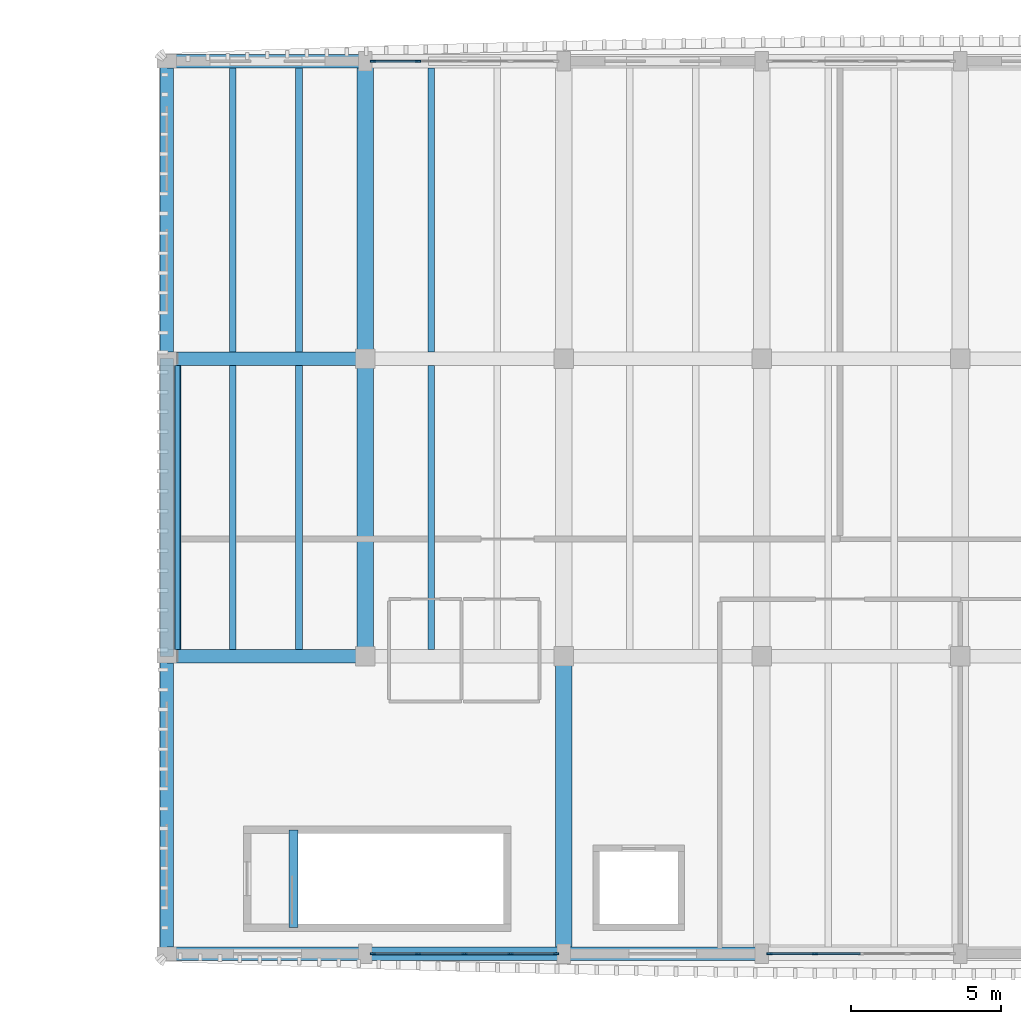
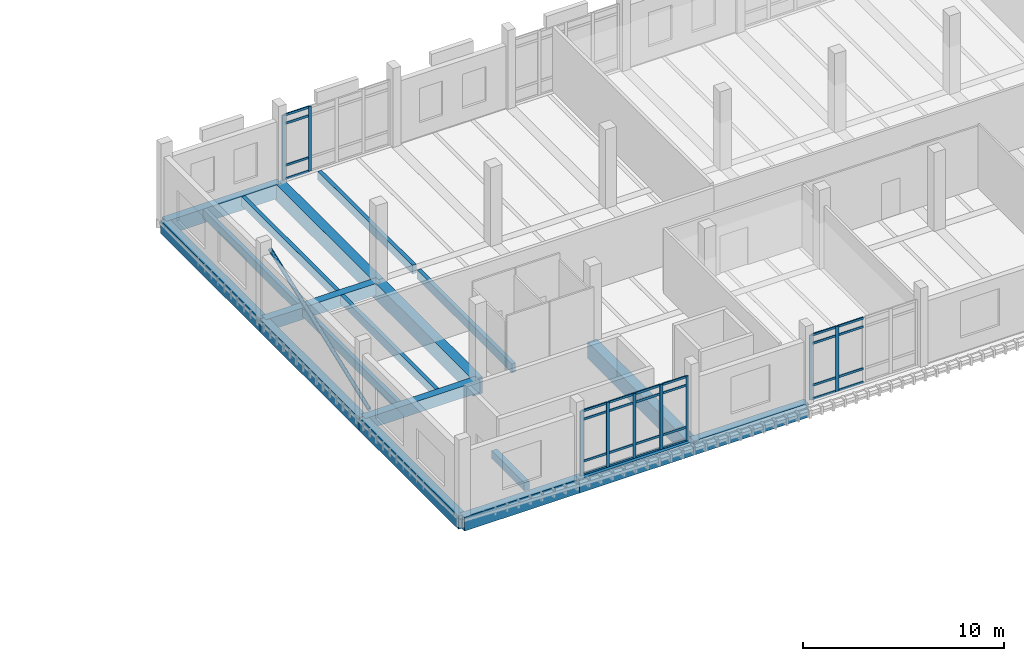
# One storey, part 8 of 37: 38 members, 19 beams, 3 elements without a shape of their own.
"""IFC4 building model written with IfcOpenShell, lengths in metres."""

from ifc_helpers import new_model, si_unit, direction, frame, origin, origin_2d, place, context, subcontext, project, spatial, rectangle, hollow_circle, extrude, material, material_profile, profile_set, type_object, element, aggregate, save


model = new_model("IFC4")

# Units and contexts
model_context = context("Model", 3, precision=1e-05, world=origin(), true_north=direction((0.0, 1.0)))
body_context = subcontext(model_context, "Body", "Model", "MODEL_VIEW")
ifc_project = project(units=[si_unit("LENGTHUNIT", "METRE"), si_unit("AREAUNIT", "SQUARE_METRE"), si_unit("VOLUMEUNIT", "CUBIC_METRE"), si_unit("PLANEANGLEUNIT", "RADIAN"), si_unit("MASSUNIT", "GRAM", prefix="KILO")], contexts=[model_context])

# Site, building, storey
site_placement = place(None, origin())
site = spatial("IfcSite", under=ifc_project, at=site_placement, CompositionType="ELEMENT")
building_placement = place(site_placement, origin())
building = spatial("IfcBuilding", under=site, at=building_placement, Name="Dornvale Research Institute", CompositionType="ELEMENT")
storey_placement = place(building_placement, frame((0.0, 0.0, 29.39990234375)))
storey = spatial("IfcBuildingStorey", under=building, at=storey_placement, Name="L06", CompositionType="ELEMENT", Elevation=29.39990234375)

# Beams
ifc_material_1 = material(Name="Concrete f'c 45 MPa (C35/45)", Category="concrete")
ifc_material_profile_1 = material_profile(ifc_material_1, rectangle(XDim=0.300048828125, YDim=0.5, at=origin_2d()), Name="RC 300x500")
ifc_profile_set_1 = profile_set([ifc_material_profile_1], Name="Concrete f'c 45 MPa (C35/45)")
beam_type_1 = type_object("IfcBeamType", Name="Beam_RC300x500_Trim", PredefinedType="BEAM", material=ifc_profile_set_1)
beam_1_placement = place(storey_placement, frame((123.02001953125, 93.280029296875, -0.25), z_axis=(0.0, 1.0, 0.0), x_axis=(-1.0, 0.0, 0.0)))
element("IfcBeam", 1, at=beam_1_placement, inside=storey, type_object=beam_type_1, Name="L06 ST-3 stair landing trimmer beam #53", PredefinedType="BEAM", context=body_context, shape_type="SweptSolid", body=[
    extrude(rectangle(XDim=0.300048828125, YDim=0.5, at=origin_2d()), origin(), (0.0, 0.0, 1.0), 3.239990234375),
])
ifc_material_2 = material(Name="Concrete f'c 45 MPa (C35/45)", Category="concrete")
ifc_material_profile_2 = material_profile(ifc_material_2, rectangle(XDim=0.449951171875, YDim=0.715087890625, at=origin_2d()), Name="RC 450x715")
ifc_profile_set_2 = profile_set([ifc_material_profile_2], Name="Concrete f'c 45 MPa (C35/45)")
beam_type_2 = type_object("IfcBeamType", Name="Beam_RC450x715_Lab", PredefinedType="BEAM", material=ifc_profile_set_2)
for number, where, z_axis, x_axis, name in (
    (2, (118.800048828125, 102.300048828125, -0.357421875), (1.0, 0.0, 0.0), (0.0, 1.0, 0.0), "L06 primary girder #1506"),
    (3, (118.800048828125, 112.199951171875, -0.357421875), (1.0, 0.0, 0.0), (0.0, 1.0, 0.0), "L06 primary girder #1514"),
):
    element("IfcBeam", number, at=place(storey_placement, frame(where, z_axis=z_axis, x_axis=x_axis)), inside=storey, type_object=beam_type_2, Name=name, PredefinedType="BEAM", context=body_context, shape_type="SweptSolid", body=[
        extrude(rectangle(XDim=0.449951171875, YDim=0.715087890625, at=origin_2d()), origin(), (0.0, 0.0, 1.0), 6.599853515625),
    ])
ifc_material_3 = material(Name="Concrete f'c 45 MPa (C35/45)", Category="concrete")
ifc_material_profile_3 = material_profile(ifc_material_3, rectangle(XDim=0.550048828125, YDim=1.0, at=origin_2d()), Name="RC 550x1000")
ifc_profile_set_3 = profile_set([ifc_material_profile_3], Name="Concrete f'c 45 MPa (C35/45)")
beam_type_3 = type_object("IfcBeamType", Name="Beam_RC550x1000_Girder", PredefinedType="BEAM", material=ifc_profile_set_3)
beam_2_placement = place(storey_placement, frame((125.39990234375, 102.300048828125, -0.5), z_axis=(0.0, 1.0, 0.0), x_axis=(-1.0, 0.0, 0.0)))
element("IfcBeam", 4, at=beam_2_placement, inside=storey, type_object=beam_type_3, Name="L06 transverse girder #1533", PredefinedType="BEAM", context=body_context, shape_type="SweptSolid", body=[
    extrude(rectangle(XDim=0.550048828125, YDim=1.0, at=origin_2d()), origin(), (0.0, 0.0, 1.0), 9.89990234375),
])
for number, where, z_axis, x_axis, name in (
    (5, (125.39990234375, 112.199951171875, -0.5), (0.0, 1.0, 0.0), (-1.0, 0.0, 0.0), "L06 transverse girder #1534"),
    (6, (132.0, 92.39990234375, -0.5), (0.0, 1.0, 0.0), (-1.0, 0.0, 0.0), "L06 transverse girder #1535"),
):
    element("IfcBeam", number, at=place(storey_placement, frame(where, z_axis=z_axis, x_axis=x_axis)), inside=storey, type_object=beam_type_3, Name=name, PredefinedType="BEAM", context=body_context, shape_type="SweptSolid", body=[
        extrude(rectangle(XDim=0.550048828125, YDim=1.0, at=origin_2d()), origin(), (0.0, 0.0, 1.0), 9.900146484375),
    ])

# Member
ifc_material_4 = material(Name="Steel ASTM A500 Grade C", Category="steel")
ifc_material_profile_4 = material_profile(ifc_material_4, hollow_circle(Radius=0.109619140625, WallThickness=0.0087890625, at=origin_2d()), Name="HSS219X9.5")
ifc_profile_set_4 = profile_set([ifc_material_profile_4], Name="Steel ASTM A500 Grade C")
member_type_1 = type_object("IfcMemberType", Name="Brace_HSS219_Round", PredefinedType="BRACE", material=ifc_profile_set_4)
member_1_placement = place(storey_placement, frame((119.159912109375, 102.300048828125, 0.300048828125), z_axis=(0.0, 0.935158287794, 0.354230118385), x_axis=(-1.0, 0.0, 0.0)))
element("IfcMember", 7, at=member_1_placement, inside=storey, type_object=member_type_1, Name="L06 seismic diagonal brace #54", PredefinedType="BRACE", context=body_context, shape_type="SweptSolid", body=[
    extrude(hollow_circle(Radius=0.109619140625, WallThickness=0.0087890625, at=origin_2d()), origin(), (0.0, 0.0, 1.0), 10.58642578125),
])

# Beams
ifc_material_5 = material(Name="Concrete f'c 45 MPa (C35/45)", Category="concrete")
ifc_material_profile_5 = material_profile(ifc_material_5, rectangle(XDim=0.219970703125, YDim=0.534912109375, at=origin_2d()), Name="RC 220x535")
ifc_profile_set_5 = profile_set([ifc_material_profile_5], Name="Concrete f'c 45 MPa (C35/45)")
beam_type_4 = type_object("IfcBeamType", Name="Joist_RC220x535_Waffle", PredefinedType="JOIST", material=ifc_profile_set_5)
for number, where, z_axis, x_axis, name in (
    (8, (121.0, 102.52490234375, -0.267333984375), (0.0, 1.0, 0.0), (-1.0, 0.0, 0.0), "L06 laboratory waffle joist #727"),
    (9, (123.199951171875, 102.52490234375, -0.267333984375), (0.0, 1.0, 0.0), (-1.0, 0.0, 0.0), "L06 laboratory waffle joist #728"),
):
    element("IfcBeam", number, at=place(storey_placement, frame(where, z_axis=z_axis, x_axis=x_axis)), inside=storey, type_object=beam_type_4, Name=name, PredefinedType="JOIST", context=body_context, shape_type="SweptSolid", body=[
        extrude(rectangle(XDim=0.219970703125, YDim=0.534912109375, at=origin_2d()), origin(), (0.0, 0.0, 1.0), 9.4501953125),
    ])
for number, where, z_axis, x_axis, name in (
    (10, (121.0, 112.425048828125, -0.267333984375), (0.0, 1.0, 0.0), (-1.0, 0.0, 0.0), "L06 laboratory waffle joist #729"),
    (11, (123.199951171875, 112.425048828125, -0.267333984375), (0.0, 1.0, 0.0), (-1.0, 0.0, 0.0), "L06 laboratory waffle joist #730"),
):
    element("IfcBeam", number, at=place(storey_placement, frame(where, z_axis=z_axis, x_axis=x_axis)), inside=storey, type_object=beam_type_4, Name=name, PredefinedType="JOIST", context=body_context, shape_type="SweptSolid", body=[
        extrude(rectangle(XDim=0.219970703125, YDim=0.534912109375, at=origin_2d()), origin(), (0.0, 0.0, 1.0), 9.449951171875),
    ])
beam_3_placement = place(storey_placement, frame((127.60009765625, 102.52490234375, -0.267333984375), z_axis=(0.0, 1.0, 0.0), x_axis=(-1.0, 0.0, 0.0)))
element("IfcBeam", 12, at=beam_3_placement, inside=storey, type_object=beam_type_4, Name="L06 laboratory waffle joist #731", PredefinedType="JOIST", context=body_context, shape_type="SweptSolid", body=[
    extrude(rectangle(XDim=0.219970703125, YDim=0.534912109375, at=origin_2d()), origin(), (0.0, 0.0, 1.0), 9.4501953125),
])
beam_4_placement = place(storey_placement, frame((127.60009765625, 112.425048828125, -0.267333984375), z_axis=(0.0, 1.0, 0.0), x_axis=(-1.0, 0.0, 0.0)))
element("IfcBeam", 13, at=beam_4_placement, inside=storey, type_object=beam_type_4, Name="L06 laboratory waffle joist #733", PredefinedType="JOIST", context=body_context, shape_type="SweptSolid", body=[
    extrude(rectangle(XDim=0.219970703125, YDim=0.534912109375, at=origin_2d()), origin(), (0.0, 0.0, 1.0), 9.449951171875),
])

# Curtain wall, members
ifc_material_6 = material(Name="Low-E Argon Double Insulating Glazing Unit", Category="glass")
curtain_wall_type = type_object("IfcCurtainWallType", Name="UnitisedCurtainWall_V4_6150x3950", PredefinedType="USERDEFINED", material=ifc_material_6)
curtain_wall_1_placement = place(storey_placement, origin())
curtain_wall_1 = element("IfcCurtainWall", 14, at=curtain_wall_1_placement, inside=storey, type_object=curtain_wall_type, Name="L06 V4 unitised curtain wall CW-15 #117", ObjectType="UNITISED CURTAIN WALL", PredefinedType="USERDEFINED")
ifc_material_7 = material(Name="Anodized Aluminum AA 6063-T6 Thermally Broken Frame", Category="aluminium")
ifc_material_profile_6 = material_profile(ifc_material_7, rectangle(XDim=0.06494140625, YDim=0.179931640625, at=origin_2d()), Name="ALU MULLION 65x180")
ifc_profile_set_6 = profile_set([ifc_material_profile_6], Name="Anodized Aluminum AA 6063-T6 Thermally Broken Frame")
member_type_2 = type_object("IfcMemberType", Name="Mullion_CW_65x180", PredefinedType="MULLION", material=ifc_profile_set_6)
member_2_placement = place(storey_placement, frame((125.657470703125, 122.10009765625, 0.0), z_axis=(0.0, 0.0, 1.0), x_axis=(0.0, 1.0, 0.0)))
member_2 = element("IfcMember", 15, at=member_2_placement, type_object=member_type_2, Name="CW-15 mullion 1", PredefinedType="MULLION", context=body_context, shape_type="SweptSolid", body=[
    extrude(rectangle(XDim=0.06494140625, YDim=0.179931640625, at=origin_2d()), origin(), (0.0, 0.0, 1.0), 3.9501953125),
])
member_3_placement = place(storey_placement, frame((127.16259765625, 122.10009765625, 0.0), z_axis=(0.0, 0.0, 1.0), x_axis=(0.0, 1.0, 0.0)))
member_3 = element("IfcMember", 16, at=member_3_placement, type_object=member_type_2, Name="CW-15 mullion 2", PredefinedType="MULLION", context=body_context, shape_type="SweptSolid", body=[
    extrude(rectangle(XDim=0.06494140625, YDim=0.179931640625, at=origin_2d()), origin(), (0.0, 0.0, 1.0), 3.9501953125),
])

curtain_wall_2_placement = place(storey_placement, origin())
curtain_wall_2 = element("IfcCurtainWall", 17, at=curtain_wall_2_placement, inside=storey, type_object=curtain_wall_type, Name="L06 V4 unitised curtain wall CW-15 #123", ObjectType="UNITISED CURTAIN WALL", PredefinedType="USERDEFINED")
member_4_placement = place(storey_placement, frame((140.362548828125, 92.39990234375, 0.0), z_axis=(0.0, 0.0, 1.0), x_axis=(0.0, -1.0, 0.0)))
member_4 = element("IfcMember", 18, at=member_4_placement, type_object=member_type_2, Name="CW-15 mullion 4", PredefinedType="MULLION", context=body_context, shape_type="SweptSolid", body=[
    extrude(rectangle(XDim=0.06494140625, YDim=0.179931640625, at=origin_2d()), origin(), (0.0, 0.0, 1.0), 3.9501953125),
])
member_5_placement = place(storey_placement, frame((138.857421875, 92.39990234375, 0.0), z_axis=(0.0, 0.0, 1.0), x_axis=(0.0, -1.0, 0.0)))
member_5 = element("IfcMember", 19, at=member_5_placement, type_object=member_type_2, Name="CW-15 mullion 5", PredefinedType="MULLION", context=body_context, shape_type="SweptSolid", body=[
    extrude(rectangle(XDim=0.06494140625, YDim=0.179931640625, at=origin_2d()), origin(), (0.0, 0.0, 1.0), 3.9501953125),
])

curtain_wall_3_placement = place(storey_placement, origin())
curtain_wall_3 = element("IfcCurtainWall", 20, at=curtain_wall_3_placement, inside=storey, type_object=curtain_wall_type, Name="L06 V4 unitised curtain wall CW-15 #124", ObjectType="UNITISED CURTAIN WALL", PredefinedType="USERDEFINED")
member_6_placement = place(storey_placement, frame((131.742431640625, 92.39990234375, 0.0), z_axis=(0.0, 0.0, 1.0), x_axis=(0.0, -1.0, 0.0)))
member_6 = element("IfcMember", 21, at=member_6_placement, type_object=member_type_2, Name="CW-15 mullion 1", PredefinedType="MULLION", context=body_context, shape_type="SweptSolid", body=[
    extrude(rectangle(XDim=0.06494140625, YDim=0.179931640625, at=origin_2d()), origin(), (0.0, 0.0, 1.0), 3.9501953125),
])
member_7_placement = place(storey_placement, frame((130.237548828125, 92.39990234375, 0.0), z_axis=(0.0, 0.0, 1.0), x_axis=(0.0, -1.0, 0.0)))
member_7 = element("IfcMember", 22, at=member_7_placement, type_object=member_type_2, Name="CW-15 mullion 2", PredefinedType="MULLION", context=body_context, shape_type="SweptSolid", body=[
    extrude(rectangle(XDim=0.06494140625, YDim=0.179931640625, at=origin_2d()), origin(), (0.0, 0.0, 1.0), 3.9501953125),
])
member_8_placement = place(storey_placement, frame((128.699951171875, 92.39990234375, 0.0), z_axis=(0.0, 0.0, 1.0), x_axis=(0.0, -1.0, 0.0)))
member_8 = element("IfcMember", 23, at=member_8_placement, type_object=member_type_2, Name="CW-15 mullion 3", PredefinedType="MULLION", context=body_context, shape_type="SweptSolid", body=[
    extrude(rectangle(XDim=0.06494140625, YDim=0.179931640625, at=origin_2d()), origin(), (0.0, 0.0, 1.0), 3.9501953125),
])
member_9_placement = place(storey_placement, frame((127.16259765625, 92.39990234375, 0.0), z_axis=(0.0, 0.0, 1.0), x_axis=(0.0, -1.0, 0.0)))
member_9 = element("IfcMember", 24, at=member_9_placement, type_object=member_type_2, Name="CW-15 mullion 4", PredefinedType="MULLION", context=body_context, shape_type="SweptSolid", body=[
    extrude(rectangle(XDim=0.06494140625, YDim=0.179931640625, at=origin_2d()), origin(), (0.0, 0.0, 1.0), 3.9501953125),
])
member_10_placement = place(storey_placement, frame((125.657470703125, 92.39990234375, 0.0), z_axis=(0.0, 0.0, 1.0), x_axis=(0.0, -1.0, 0.0)))
member_10 = element("IfcMember", 25, at=member_10_placement, type_object=member_type_2, Name="CW-15 mullion 5", PredefinedType="MULLION", context=body_context, shape_type="SweptSolid", body=[
    extrude(rectangle(XDim=0.06494140625, YDim=0.179931640625, at=origin_2d()), origin(), (0.0, 0.0, 1.0), 3.9501953125),
])

# Beams
ifc_material_8 = material(Name="Concrete f'c 45 MPa (C35/45)", Category="concrete")
ifc_material_profile_7 = material_profile(ifc_material_8, rectangle(XDim=0.449951171875, YDim=0.800048828125, at=origin_2d()), Name="RC 450x800")
ifc_profile_set_7 = profile_set([ifc_material_profile_7], Name="Concrete f'c 45 MPa (C35/45)")
beam_type_5 = type_object("IfcBeamType", Name="Spandrel_RC450x800_Ext", PredefinedType="SPANDREL", material=ifc_profile_set_7)
beam_5_placement = place(storey_placement, frame((118.800048828125, 92.39990234375, -0.39990234375), z_axis=(0.0, 1.0, 0.0), x_axis=(-1.0, 0.0, 0.0)))
element("IfcBeam", 26, at=beam_5_placement, inside=storey, type_object=beam_type_5, Name="L06 perimeter spandrel #1530", PredefinedType="SPANDREL", context=body_context, shape_type="SweptSolid", body=[
    extrude(rectangle(XDim=0.449951171875, YDim=0.800048828125, at=origin_2d()), origin(), (0.0, 0.0, 1.0), 9.900146484375),
])
beam_6_placement = place(storey_placement, frame((118.800048828125, 102.300048828125, -0.39990234375), z_axis=(0.0, 1.0, 0.0), x_axis=(-1.0, 0.0, 0.0)))
element("IfcBeam", 27, at=beam_6_placement, inside=storey, type_object=beam_type_5, Name="L06 perimeter spandrel #1531", PredefinedType="SPANDREL", context=body_context, shape_type="SweptSolid", body=[
    extrude(rectangle(XDim=0.449951171875, YDim=0.800048828125, at=origin_2d()), origin(), (0.0, 0.0, 1.0), 9.89990234375),
])
beam_7_placement = place(storey_placement, frame((118.800048828125, 112.199951171875, -0.39990234375), z_axis=(0.0, 1.0, 0.0), x_axis=(-1.0, 0.0, 0.0)))
element("IfcBeam", 28, at=beam_7_placement, inside=storey, type_object=beam_type_5, Name="L06 perimeter spandrel #1532", PredefinedType="SPANDREL", context=body_context, shape_type="SweptSolid", body=[
    extrude(rectangle(XDim=0.449951171875, YDim=0.800048828125, at=origin_2d()), origin(), (0.0, 0.0, 1.0), 9.900146484375),
])
ifc_material_9 = material(Name="Concrete f'c 45 MPa (C35/45)", Category="concrete")
ifc_material_profile_8 = material_profile(ifc_material_9, rectangle(XDim=0.449951171875, YDim=0.85009765625, at=origin_2d()), Name="RC 450x850")
ifc_profile_set_8 = profile_set([ifc_material_profile_8], Name="Concrete f'c 45 MPa (C35/45)")
beam_type_6 = type_object("IfcBeamType", Name="Spandrel_RC450x850_Ext", PredefinedType="SPANDREL", material=ifc_profile_set_8)
beam_8_placement = place(storey_placement, frame((118.800048828125, 92.39990234375, -0.4248046875), z_axis=(1.0, 0.0, 0.0), x_axis=(0.0, 1.0, 0.0)))
element("IfcBeam", 29, at=beam_8_placement, inside=storey, type_object=beam_type_6, Name="L06 perimeter spandrel #1498", PredefinedType="SPANDREL", context=body_context, shape_type="SweptSolid", body=[
    extrude(rectangle(XDim=0.449951171875, YDim=0.85009765625, at=origin_2d()), origin(), (0.0, 0.0, 1.0), 6.599853515625),
])
for number, where, z_axis, x_axis, name in (
    (30, (125.39990234375, 92.39990234375, -0.4248046875), (1.0, 0.0, 0.0), (0.0, 1.0, 0.0), "L06 perimeter spandrel #1499"),
    (31, (132.0, 92.39990234375, -0.4248046875), (1.0, 0.0, 0.0), (0.0, 1.0, 0.0), "L06 perimeter spandrel #1500"),
):
    element("IfcBeam", number, at=place(storey_placement, frame(where, z_axis=z_axis, x_axis=x_axis)), inside=storey, type_object=beam_type_6, Name=name, PredefinedType="SPANDREL", context=body_context, shape_type="SweptSolid", body=[
        extrude(rectangle(XDim=0.449951171875, YDim=0.85009765625, at=origin_2d()), origin(), (0.0, 0.0, 1.0), 6.60009765625),
    ])
beam_9_placement = place(storey_placement, frame((118.800048828125, 122.10009765625, -0.4248046875), z_axis=(1.0, 0.0, 0.0), x_axis=(0.0, 1.0, 0.0)))
element("IfcBeam", 32, at=beam_9_placement, inside=storey, type_object=beam_type_6, Name="L06 perimeter spandrel #1522", PredefinedType="SPANDREL", context=body_context, shape_type="SweptSolid", body=[
    extrude(rectangle(XDim=0.449951171875, YDim=0.85009765625, at=origin_2d()), origin(), (0.0, 0.0, 1.0), 6.599853515625),
])

# Member
ifc_material_10 = material(Name="Anodized Aluminum AA 6063-T6 Thermally Broken Frame", Category="aluminium")
ifc_material_profile_9 = material_profile(ifc_material_10, rectangle(XDim=0.06494140625, YDim=0.135009765625, at=origin_2d()), Name="ALU TRANSOM 65x135")
ifc_profile_set_9 = profile_set([ifc_material_profile_9], Name="Anodized Aluminum AA 6063-T6 Thermally Broken Frame")
member_type_3 = type_object("IfcMemberType", Name="Transom_CW_65x135", PredefinedType="USERDEFINED", material=ifc_profile_set_9)
member_11_placement = place(storey_placement, frame((125.68994140625, 122.10009765625, 0.03271484375), z_axis=(1.0, 0.0, 0.0), x_axis=(0.0, 1.0, 0.0)))
member_11 = element("IfcMember", 33, at=member_11_placement, type_object=member_type_3, Name="CW-15 transom 1.1", ObjectType="TRANSOM", PredefinedType="USERDEFINED", context=body_context, shape_type="SweptSolid", body=[
    extrude(rectangle(XDim=0.06494140625, YDim=0.135009765625, at=origin_2d()), origin(), (0.0, 0.0, 1.0), 1.43994140625),
])

member_12_placement = place(storey_placement, frame((125.68994140625, 122.10009765625, 0.85009765625), z_axis=(1.0, 0.0, 0.0), x_axis=(0.0, 1.0, 0.0)))
member_12 = element("IfcMember", 34, at=member_12_placement, type_object=member_type_3, Name="CW-15 transom 1.2", ObjectType="TRANSOM", PredefinedType="USERDEFINED", context=body_context, shape_type="SweptSolid", body=[
    extrude(rectangle(XDim=0.06494140625, YDim=0.135009765625, at=origin_2d()), origin(), (0.0, 0.0, 1.0), 1.43994140625),
])

member_13_placement = place(storey_placement, frame((125.68994140625, 122.10009765625, 3.400146484375), z_axis=(1.0, 0.0, 0.0), x_axis=(0.0, 1.0, 0.0)))
member_13 = element("IfcMember", 35, at=member_13_placement, type_object=member_type_3, Name="CW-15 transom 1.3", ObjectType="TRANSOM", PredefinedType="USERDEFINED", context=body_context, shape_type="SweptSolid", body=[
    extrude(rectangle(XDim=0.06494140625, YDim=0.135009765625, at=origin_2d()), origin(), (0.0, 0.0, 1.0), 1.43994140625),
])

member_14_placement = place(storey_placement, frame((125.68994140625, 122.10009765625, 3.91748046875), z_axis=(1.0, 0.0, 0.0), x_axis=(0.0, 1.0, 0.0)))
member_14 = element("IfcMember", 36, at=member_14_placement, type_object=member_type_3, Name="CW-15 transom 1.4", ObjectType="TRANSOM", PredefinedType="USERDEFINED", context=body_context, shape_type="SweptSolid", body=[
    extrude(rectangle(XDim=0.06494140625, YDim=0.135009765625, at=origin_2d()), origin(), (0.0, 0.0, 1.0), 1.43994140625),
])

aggregate(curtain_wall_1, [member_2, member_3, member_11, member_12, member_13, member_14])

member_15_placement = place(storey_placement, frame((141.867431640625, 92.39990234375, 0.03271484375), z_axis=(-1.0, 0.0, 0.0), x_axis=(0.0, -1.0, 0.0)))
member_15 = element("IfcMember", 37, at=member_15_placement, type_object=member_type_3, Name="CW-15 transom 3.1", ObjectType="TRANSOM", PredefinedType="USERDEFINED", context=body_context, shape_type="SweptSolid", body=[
    extrude(rectangle(XDim=0.06494140625, YDim=0.135009765625, at=origin_2d()), origin(), (0.0, 0.0, 1.0), 1.472412109375),
])

member_16_placement = place(storey_placement, frame((141.867431640625, 92.39990234375, 0.85009765625), z_axis=(-1.0, 0.0, 0.0), x_axis=(0.0, -1.0, 0.0)))
member_16 = element("IfcMember", 38, at=member_16_placement, type_object=member_type_3, Name="CW-15 transom 3.2", ObjectType="TRANSOM", PredefinedType="USERDEFINED", context=body_context, shape_type="SweptSolid", body=[
    extrude(rectangle(XDim=0.06494140625, YDim=0.135009765625, at=origin_2d()), origin(), (0.0, 0.0, 1.0), 1.472412109375),
])

member_17_placement = place(storey_placement, frame((141.867431640625, 92.39990234375, 3.400146484375), z_axis=(-1.0, 0.0, 0.0), x_axis=(0.0, -1.0, 0.0)))
member_17 = element("IfcMember", 39, at=member_17_placement, type_object=member_type_3, Name="CW-15 transom 3.3", ObjectType="TRANSOM", PredefinedType="USERDEFINED", context=body_context, shape_type="SweptSolid", body=[
    extrude(rectangle(XDim=0.06494140625, YDim=0.135009765625, at=origin_2d()), origin(), (0.0, 0.0, 1.0), 1.472412109375),
])

member_18_placement = place(storey_placement, frame((141.867431640625, 92.39990234375, 3.91748046875), z_axis=(-1.0, 0.0, 0.0), x_axis=(0.0, -1.0, 0.0)))
member_18 = element("IfcMember", 40, at=member_18_placement, type_object=member_type_3, Name="CW-15 transom 3.4", ObjectType="TRANSOM", PredefinedType="USERDEFINED", context=body_context, shape_type="SweptSolid", body=[
    extrude(rectangle(XDim=0.06494140625, YDim=0.135009765625, at=origin_2d()), origin(), (0.0, 0.0, 1.0), 1.472412109375),
])

member_19_placement = place(storey_placement, frame((140.330078125, 92.39990234375, 0.03271484375), z_axis=(-1.0, 0.0, 0.0), x_axis=(0.0, -1.0, 0.0)))
member_19 = element("IfcMember", 41, at=member_19_placement, type_object=member_type_3, Name="CW-15 transom 4.1", ObjectType="TRANSOM", PredefinedType="USERDEFINED", context=body_context, shape_type="SweptSolid", body=[
    extrude(rectangle(XDim=0.06494140625, YDim=0.135009765625, at=origin_2d()), origin(), (0.0, 0.0, 1.0), 1.440185546875),
])

member_20_placement = place(storey_placement, frame((140.330078125, 92.39990234375, 0.85009765625), z_axis=(-1.0, 0.0, 0.0), x_axis=(0.0, -1.0, 0.0)))
member_20 = element("IfcMember", 42, at=member_20_placement, type_object=member_type_3, Name="CW-15 transom 4.2", ObjectType="TRANSOM", PredefinedType="USERDEFINED", context=body_context, shape_type="SweptSolid", body=[
    extrude(rectangle(XDim=0.06494140625, YDim=0.135009765625, at=origin_2d()), origin(), (0.0, 0.0, 1.0), 1.440185546875),
])

member_21_placement = place(storey_placement, frame((140.330078125, 92.39990234375, 3.400146484375), z_axis=(-1.0, 0.0, 0.0), x_axis=(0.0, -1.0, 0.0)))
member_21 = element("IfcMember", 43, at=member_21_placement, type_object=member_type_3, Name="CW-15 transom 4.3", ObjectType="TRANSOM", PredefinedType="USERDEFINED", context=body_context, shape_type="SweptSolid", body=[
    extrude(rectangle(XDim=0.06494140625, YDim=0.135009765625, at=origin_2d()), origin(), (0.0, 0.0, 1.0), 1.440185546875),
])

member_22_placement = place(storey_placement, frame((140.330078125, 92.39990234375, 3.91748046875), z_axis=(-1.0, 0.0, 0.0), x_axis=(0.0, -1.0, 0.0)))
member_22 = element("IfcMember", 44, at=member_22_placement, type_object=member_type_3, Name="CW-15 transom 4.4", ObjectType="TRANSOM", PredefinedType="USERDEFINED", context=body_context, shape_type="SweptSolid", body=[
    extrude(rectangle(XDim=0.06494140625, YDim=0.135009765625, at=origin_2d()), origin(), (0.0, 0.0, 1.0), 1.440185546875),
])

aggregate(curtain_wall_2, [member_4, member_5, member_15, member_16, member_17, member_18, member_19, member_20, member_21, member_22])

member_23_placement = place(storey_placement, frame((131.7099609375, 92.39990234375, 0.03271484375), z_axis=(-1.0, 0.0, 0.0), x_axis=(0.0, -1.0, 0.0)))
member_23 = element("IfcMember", 45, at=member_23_placement, type_object=member_type_3, Name="CW-15 transom 1.1", ObjectType="TRANSOM", PredefinedType="USERDEFINED", context=body_context, shape_type="SweptSolid", body=[
    extrude(rectangle(XDim=0.06494140625, YDim=0.135009765625, at=origin_2d()), origin(), (0.0, 0.0, 1.0), 1.43994140625),
])

member_24_placement = place(storey_placement, frame((131.7099609375, 92.39990234375, 0.85009765625), z_axis=(-1.0, 0.0, 0.0), x_axis=(0.0, -1.0, 0.0)))
member_24 = element("IfcMember", 46, at=member_24_placement, type_object=member_type_3, Name="CW-15 transom 1.2", ObjectType="TRANSOM", PredefinedType="USERDEFINED", context=body_context, shape_type="SweptSolid", body=[
    extrude(rectangle(XDim=0.06494140625, YDim=0.135009765625, at=origin_2d()), origin(), (0.0, 0.0, 1.0), 1.43994140625),
])

member_25_placement = place(storey_placement, frame((131.7099609375, 92.39990234375, 3.400146484375), z_axis=(-1.0, 0.0, 0.0), x_axis=(0.0, -1.0, 0.0)))
member_25 = element("IfcMember", 47, at=member_25_placement, type_object=member_type_3, Name="CW-15 transom 1.3", ObjectType="TRANSOM", PredefinedType="USERDEFINED", context=body_context, shape_type="SweptSolid", body=[
    extrude(rectangle(XDim=0.06494140625, YDim=0.135009765625, at=origin_2d()), origin(), (0.0, 0.0, 1.0), 1.43994140625),
])

member_26_placement = place(storey_placement, frame((131.7099609375, 92.39990234375, 3.91748046875), z_axis=(-1.0, 0.0, 0.0), x_axis=(0.0, -1.0, 0.0)))
member_26 = element("IfcMember", 48, at=member_26_placement, type_object=member_type_3, Name="CW-15 transom 1.4", ObjectType="TRANSOM", PredefinedType="USERDEFINED", context=body_context, shape_type="SweptSolid", body=[
    extrude(rectangle(XDim=0.06494140625, YDim=0.135009765625, at=origin_2d()), origin(), (0.0, 0.0, 1.0), 1.43994140625),
])

member_27_placement = place(storey_placement, frame((130.205078125, 92.39990234375, 0.03271484375), z_axis=(-1.0, 0.0, 0.0), x_axis=(0.0, -1.0, 0.0)))
member_27 = element("IfcMember", 49, at=member_27_placement, type_object=member_type_3, Name="CW-15 transom 2.1", ObjectType="TRANSOM", PredefinedType="USERDEFINED", context=body_context, shape_type="SweptSolid", body=[
    extrude(rectangle(XDim=0.06494140625, YDim=0.135009765625, at=origin_2d()), origin(), (0.0, 0.0, 1.0), 1.47265625),
])

member_28_placement = place(storey_placement, frame((130.205078125, 92.39990234375, 0.85009765625), z_axis=(-1.0, 0.0, 0.0), x_axis=(0.0, -1.0, 0.0)))
member_28 = element("IfcMember", 50, at=member_28_placement, type_object=member_type_3, Name="CW-15 transom 2.2", ObjectType="TRANSOM", PredefinedType="USERDEFINED", context=body_context, shape_type="SweptSolid", body=[
    extrude(rectangle(XDim=0.06494140625, YDim=0.135009765625, at=origin_2d()), origin(), (0.0, 0.0, 1.0), 1.47265625),
])

member_29_placement = place(storey_placement, frame((130.205078125, 92.39990234375, 3.400146484375), z_axis=(-1.0, 0.0, 0.0), x_axis=(0.0, -1.0, 0.0)))
member_29 = element("IfcMember", 51, at=member_29_placement, type_object=member_type_3, Name="CW-15 transom 2.3", ObjectType="TRANSOM", PredefinedType="USERDEFINED", context=body_context, shape_type="SweptSolid", body=[
    extrude(rectangle(XDim=0.06494140625, YDim=0.135009765625, at=origin_2d()), origin(), (0.0, 0.0, 1.0), 1.47265625),
])

member_30_placement = place(storey_placement, frame((130.205078125, 92.39990234375, 3.91748046875), z_axis=(-1.0, 0.0, 0.0), x_axis=(0.0, -1.0, 0.0)))
member_30 = element("IfcMember", 52, at=member_30_placement, type_object=member_type_3, Name="CW-15 transom 2.4", ObjectType="TRANSOM", PredefinedType="USERDEFINED", context=body_context, shape_type="SweptSolid", body=[
    extrude(rectangle(XDim=0.06494140625, YDim=0.135009765625, at=origin_2d()), origin(), (0.0, 0.0, 1.0), 1.47265625),
])

member_31_placement = place(storey_placement, frame((128.66748046875, 92.39990234375, 0.03271484375), z_axis=(-1.0, 0.0, 0.0), x_axis=(0.0, -1.0, 0.0)))
member_31 = element("IfcMember", 53, at=member_31_placement, type_object=member_type_3, Name="CW-15 transom 3.1", ObjectType="TRANSOM", PredefinedType="USERDEFINED", context=body_context, shape_type="SweptSolid", body=[
    extrude(rectangle(XDim=0.06494140625, YDim=0.135009765625, at=origin_2d()), origin(), (0.0, 0.0, 1.0), 1.472412109375),
])

member_32_placement = place(storey_placement, frame((128.66748046875, 92.39990234375, 0.85009765625), z_axis=(-1.0, 0.0, 0.0), x_axis=(0.0, -1.0, 0.0)))
member_32 = element("IfcMember", 54, at=member_32_placement, type_object=member_type_3, Name="CW-15 transom 3.2", ObjectType="TRANSOM", PredefinedType="USERDEFINED", context=body_context, shape_type="SweptSolid", body=[
    extrude(rectangle(XDim=0.06494140625, YDim=0.135009765625, at=origin_2d()), origin(), (0.0, 0.0, 1.0), 1.472412109375),
])

member_33_placement = place(storey_placement, frame((128.66748046875, 92.39990234375, 3.400146484375), z_axis=(-1.0, 0.0, 0.0), x_axis=(0.0, -1.0, 0.0)))
member_33 = element("IfcMember", 55, at=member_33_placement, type_object=member_type_3, Name="CW-15 transom 3.3", ObjectType="TRANSOM", PredefinedType="USERDEFINED", context=body_context, shape_type="SweptSolid", body=[
    extrude(rectangle(XDim=0.06494140625, YDim=0.135009765625, at=origin_2d()), origin(), (0.0, 0.0, 1.0), 1.472412109375),
])

member_34_placement = place(storey_placement, frame((128.66748046875, 92.39990234375, 3.91748046875), z_axis=(-1.0, 0.0, 0.0), x_axis=(0.0, -1.0, 0.0)))
member_34 = element("IfcMember", 56, at=member_34_placement, type_object=member_type_3, Name="CW-15 transom 3.4", ObjectType="TRANSOM", PredefinedType="USERDEFINED", context=body_context, shape_type="SweptSolid", body=[
    extrude(rectangle(XDim=0.06494140625, YDim=0.135009765625, at=origin_2d()), origin(), (0.0, 0.0, 1.0), 1.472412109375),
])

member_35_placement = place(storey_placement, frame((127.1298828125, 92.39990234375, 0.03271484375), z_axis=(-1.0, 0.0, 0.0), x_axis=(0.0, -1.0, 0.0)))
member_35 = element("IfcMember", 57, at=member_35_placement, type_object=member_type_3, Name="CW-15 transom 4.1", ObjectType="TRANSOM", PredefinedType="USERDEFINED", context=body_context, shape_type="SweptSolid", body=[
    extrude(rectangle(XDim=0.06494140625, YDim=0.135009765625, at=origin_2d()), origin(), (0.0, 0.0, 1.0), 1.43994140625),
])

member_36_placement = place(storey_placement, frame((127.1298828125, 92.39990234375, 0.85009765625), z_axis=(-1.0, 0.0, 0.0), x_axis=(0.0, -1.0, 0.0)))
member_36 = element("IfcMember", 58, at=member_36_placement, type_object=member_type_3, Name="CW-15 transom 4.2", ObjectType="TRANSOM", PredefinedType="USERDEFINED", context=body_context, shape_type="SweptSolid", body=[
    extrude(rectangle(XDim=0.06494140625, YDim=0.135009765625, at=origin_2d()), origin(), (0.0, 0.0, 1.0), 1.43994140625),
])

member_37_placement = place(storey_placement, frame((127.1298828125, 92.39990234375, 3.400146484375), z_axis=(-1.0, 0.0, 0.0), x_axis=(0.0, -1.0, 0.0)))
member_37 = element("IfcMember", 59, at=member_37_placement, type_object=member_type_3, Name="CW-15 transom 4.3", ObjectType="TRANSOM", PredefinedType="USERDEFINED", context=body_context, shape_type="SweptSolid", body=[
    extrude(rectangle(XDim=0.06494140625, YDim=0.135009765625, at=origin_2d()), origin(), (0.0, 0.0, 1.0), 1.43994140625),
])

member_38_placement = place(storey_placement, frame((127.1298828125, 92.39990234375, 3.91748046875), z_axis=(-1.0, 0.0, 0.0), x_axis=(0.0, -1.0, 0.0)))
member_38 = element("IfcMember", 60, at=member_38_placement, type_object=member_type_3, Name="CW-15 transom 4.4", ObjectType="TRANSOM", PredefinedType="USERDEFINED", context=body_context, shape_type="SweptSolid", body=[
    extrude(rectangle(XDim=0.06494140625, YDim=0.135009765625, at=origin_2d()), origin(), (0.0, 0.0, 1.0), 1.43994140625),
])

aggregate(curtain_wall_3, [member_6, member_7, member_8, member_9, member_10, member_23, member_24, member_25, member_26, member_27, member_28, member_29, member_30, member_31, member_32, member_33, member_34, member_35, member_36, member_37, member_38])

save(model, "model.ifc")
